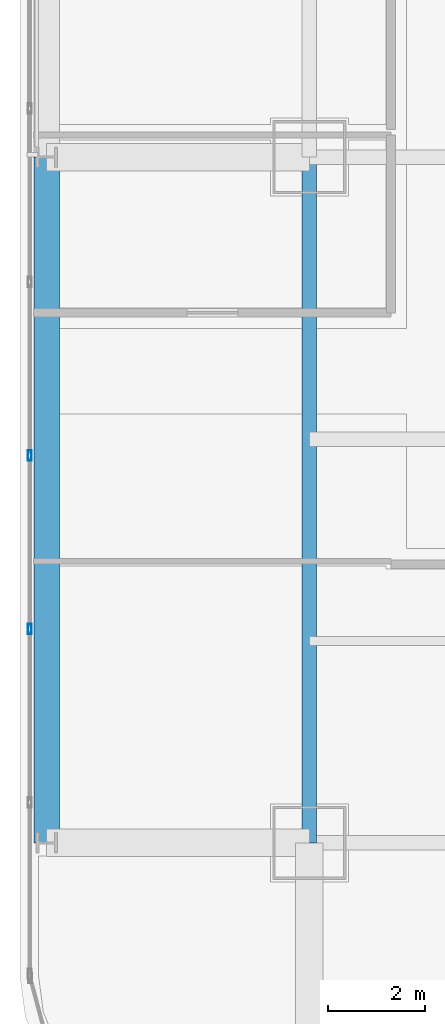
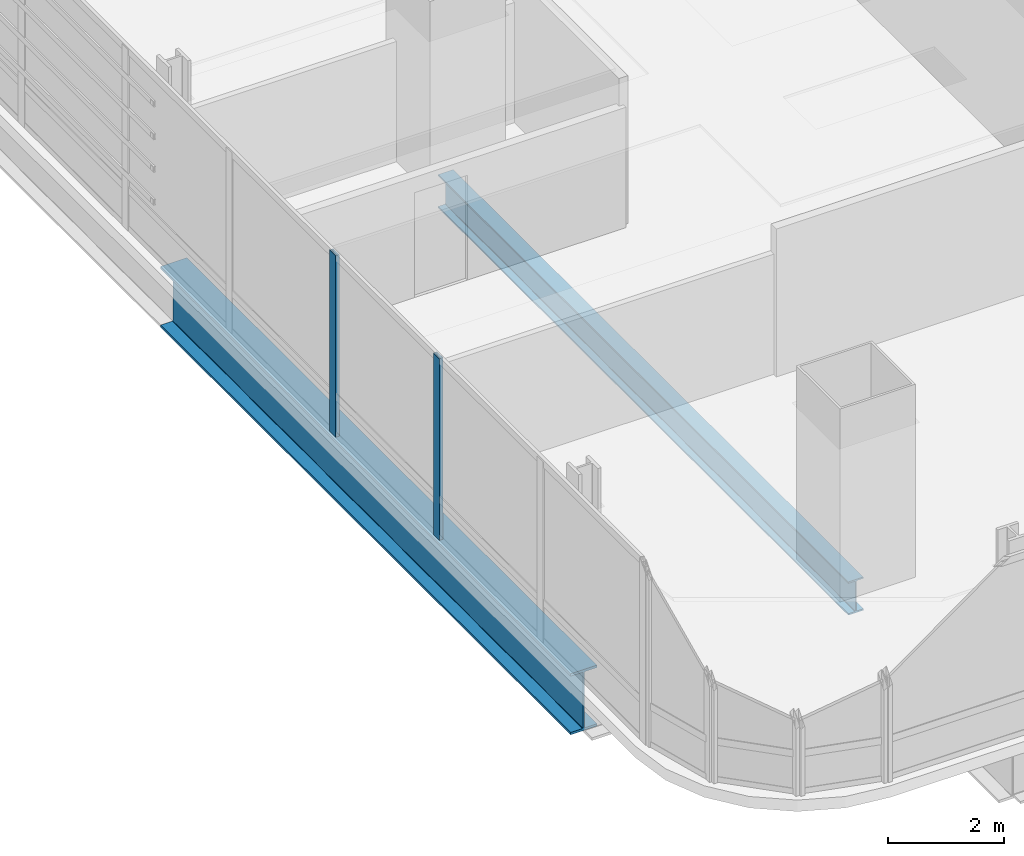
# One storey, part 4 of 36: 2 beams, 2 members, 1 element without a shape of its own.
"""IFC4 building model written with IfcOpenShell, lengths in metres."""

from ifc_helpers import new_model, si_unit, direction, frame, origin, origin_2d, place, context, subcontext, project, spatial, hollow_rectangle, i_section, extrude, material, material_profile, profile_set, type_object, element, aggregate, save


model = new_model("IFC4")

# Units and contexts
model_context = context("Model", 3, precision=1e-05, world=origin(), true_north=direction((0.0, 1.0)))
body_context = subcontext(model_context, "Body", "Model", "MODEL_VIEW")
ifc_project = project(units=[si_unit("LENGTHUNIT", "METRE"), si_unit("AREAUNIT", "SQUARE_METRE"), si_unit("VOLUMEUNIT", "CUBIC_METRE"), si_unit("PLANEANGLEUNIT", "RADIAN"), si_unit("MASSUNIT", "GRAM", prefix="KILO")], contexts=[model_context])

# Site, building, storey
site_placement = place(None, origin())
site = spatial("IfcSite", under=ifc_project, at=site_placement, CompositionType="ELEMENT")
building_placement = place(site_placement, origin())
building = spatial("IfcBuilding", under=site, at=building_placement, Name="Punatoya Terracotta Tower", CompositionType="ELEMENT")
storey_placement = place(building_placement, frame((0.0, 0.0, 36.300048828125)))
storey = spatial("IfcBuildingStorey", under=building, at=storey_placement, Name="L07", CompositionType="ELEMENT", Elevation=36.300048828125)

# Beams
ifc_material_1 = material(Name="Steel S355", Category="steel")
ifc_material_profile_1 = material_profile(ifc_material_1, i_section(OverallWidth=0.300048828125, OverallDepth=0.699951171875, WebThickness=0.01708984375, FlangeThickness=0.031982421875, FilletRadius=0.01806640625, at=origin_2d()))
ifc_profile_set_1 = profile_set([ifc_material_profile_1], Name="Steel S355")
beam_type_1 = type_object("IfcBeamType", Name="BM-PRI-700", PredefinedType="BEAM", material=ifc_profile_set_1)
beam_1_placement = place(storey_placement, frame((-19.10009765625, -17.5, -0.590087890625), z_axis=(0.0, 1.0, 0.0), x_axis=(-1.0, 0.0, 0.0)))
element("IfcBeam", 1, at=beam_1_placement, inside=storey, type_object=beam_type_1, Name="BM-L07-RG-W1", PredefinedType="BEAM", context=body_context, shape_type="SweptSolid", body=[
    extrude(i_section(OverallWidth=0.300048828125, OverallDepth=0.699951171875, WebThickness=0.01708984375, FlangeThickness=0.031982421875, FilletRadius=0.01806640625, at=origin_2d()), origin(), (0.0, 0.0, 1.0), 14.10009765625),
])
ifc_material_2 = material(Name="Steel S460", Category="steel")
ifc_material_profile_2 = material_profile(ifc_material_2, i_section(OverallWidth=0.52001953125, OverallDepth=1.280029296875, WebThickness=0.031982421875, FlangeThickness=0.050048828125, FilletRadius=0.01806640625, at=origin_2d()))
ifc_profile_set_2 = profile_set([ifc_material_profile_2], Name="Steel S460")
beam_type_2 = type_object("IfcBeamType", Name="BM-TG-NCK", PredefinedType="BEAM", material=ifc_profile_set_2)
beam_2_placement = place(storey_placement, frame((-24.5, -17.5, -0.880126953125), z_axis=(0.0, 1.0, 0.0), x_axis=(-1.0, 0.0, 0.0)))
element("IfcBeam", 2, at=beam_2_placement, inside=storey, type_object=beam_type_2, Name="BM-L07-PER-W1", PredefinedType="BEAM", context=body_context, shape_type="SweptSolid", body=[
    extrude(i_section(OverallWidth=0.52001953125, OverallDepth=1.280029296875, WebThickness=0.031982421875, FlangeThickness=0.050048828125, FilletRadius=0.01806640625, at=origin_2d()), origin(), (0.0, 0.0, 1.0), 14.10009765625),
])

# Curtain wall, members
ifc_material_3 = material(Name="Aluminium 6063-T6 + Double Low-E Glass", Category="aluminium")
curtain_wall_type = type_object("IfcCurtainWallType", Name="CW-M1", PredefinedType="NOTDEFINED", material=ifc_material_3)
curtain_wall_placement = place(storey_placement, origin())
curtain_wall = element("IfcCurtainWall", 3, at=curtain_wall_placement, inside=storey, type_object=curtain_wall_type, Name="L07 Curtain Wall CW-L07-W13-1", PredefinedType="NOTDEFINED")
ifc_material_4 = material(Name="Aluminium 6063-T6", Category="aluminium")
ifc_material_profile_3 = material_profile(ifc_material_4, hollow_rectangle(XDim=0.074951171875, YDim=0.2099609375, WallThickness=0.00439453125, at=origin_2d()))
ifc_profile_set_3 = profile_set([ifc_material_profile_3], Name="Aluminium 6063-T6")
member_type = type_object("IfcMemberType", Name="CW-MUL-M1", PredefinedType="MULLION", material=ifc_profile_set_3)
member_1_placement = place(storey_placement, frame((-24.85009765625, -9.534912109375, 0.0), z_axis=(0.0, 0.0, 1.0), x_axis=(1.0, 0.0, 0.0)))
member_1 = element("IfcMember", 4, at=member_1_placement, type_object=member_type, Name="CW-L07-W13-1 Mullion 07", PredefinedType="MULLION", context=body_context, shape_type="SweptSolid", body=[
    extrude(hollow_rectangle(XDim=0.074951171875, YDim=0.2099609375, WallThickness=0.00439453125, at=origin_2d()), origin(), (0.0, 0.0, 1.0), 3.81005859375),
])
member_2_placement = place(storey_placement, frame((-24.85009765625, -13.10205078125, 0.0), z_axis=(0.0, 0.0, 1.0), x_axis=(1.0, 0.0, 0.0)))
member_2 = element("IfcMember", 5, at=member_2_placement, type_object=member_type, Name="CW-L07-W13-1 Mullion 08", PredefinedType="MULLION", context=body_context, shape_type="SweptSolid", body=[
    extrude(hollow_rectangle(XDim=0.074951171875, YDim=0.2099609375, WallThickness=0.00439453125, at=origin_2d()), origin(), (0.0, 0.0, 1.0), 3.81005859375),
])
aggregate(curtain_wall, [member_1, member_2])

save(model, "model.ifc")
